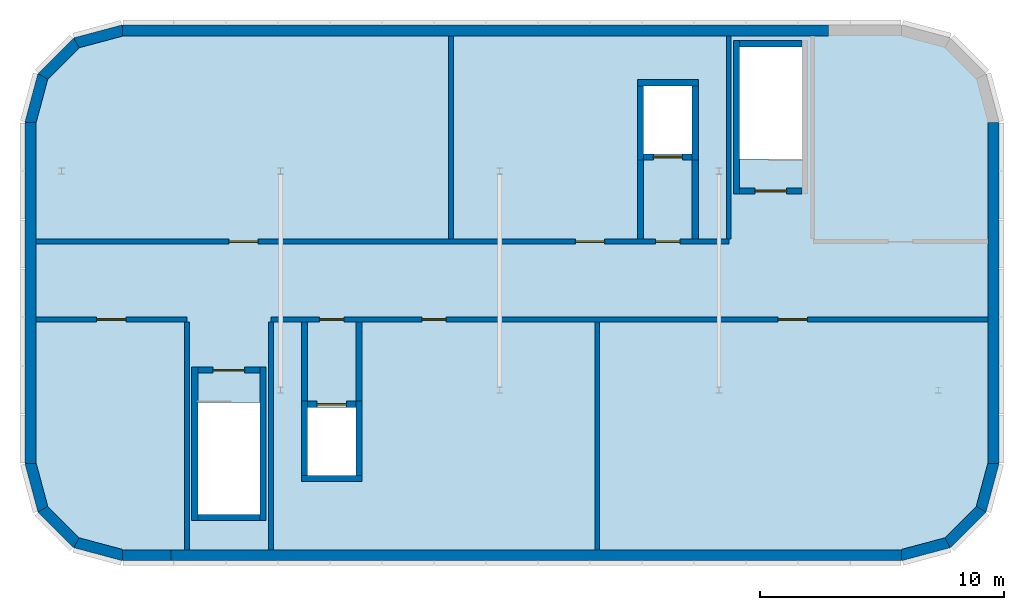
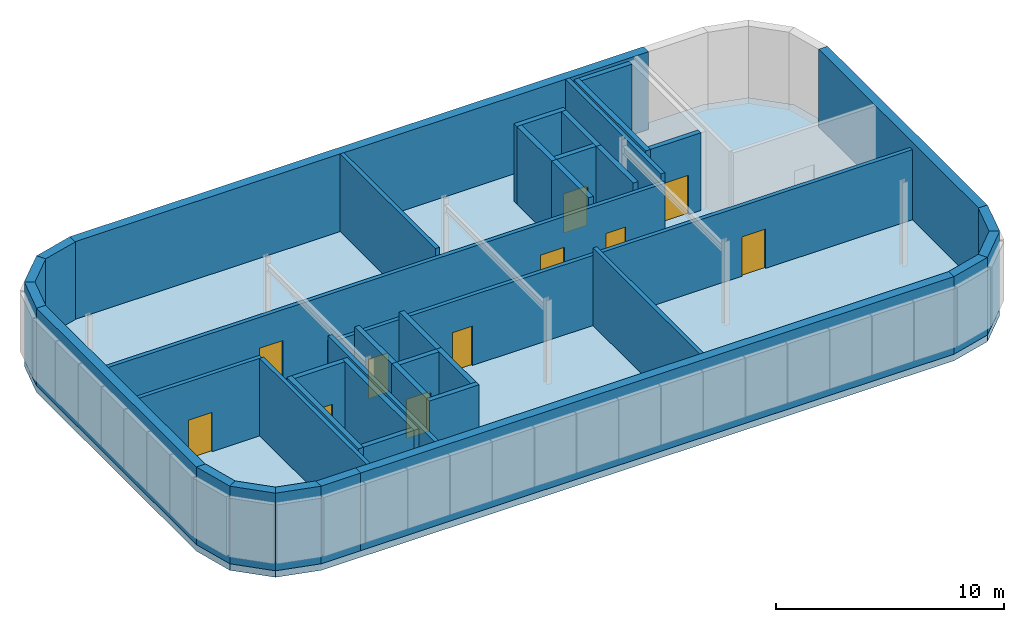
# One storey, part 2 of 4: 41 walls, 11 doors, 1 slab, 11 openings.
"""IFC4 building model written with IfcOpenShell, lengths in metres."""

from ifc_helpers import new_model, si_unit, direction, frame, frame_2d, origin, place, context, subcontext, project, spatial, polyline, rectangle, outline, extrude, material, layer, layer_set, type_object, element, fill, save


model = new_model("IFC4")

# Units and contexts
model_context = context("Model", 3, precision=1e-05, world=origin(), true_north=direction((0.0, 1.0)))
body_context = subcontext(model_context, "Body", "Model", "MODEL_VIEW")
ifc_project = project(units=[si_unit("LENGTHUNIT", "METRE"), si_unit("AREAUNIT", "SQUARE_METRE"), si_unit("VOLUMEUNIT", "CUBIC_METRE"), si_unit("PLANEANGLEUNIT", "RADIAN"), si_unit("MASSUNIT", "GRAM", prefix="KILO")], contexts=[model_context])

# Site, building, storey
site_placement = place(None, origin())
site = spatial("IfcSite", under=ifc_project, at=site_placement, CompositionType="ELEMENT")
building_placement = place(site_placement, origin())
building = spatial("IfcBuilding", under=site, at=building_placement, Name="Kajstack Hotel Tower", CompositionType="ELEMENT")
storey_placement = place(building_placement, frame((0.0, 0.0, 329.800048828125)))
storey = spatial("IfcBuildingStorey", under=building, at=storey_placement, Name="RF", CompositionType="ELEMENT", Elevation=329.800048828125)

# Slab
ifc_material_1 = material(Name="Concrete C40/50", Category="concrete")
ifc_layer_1 = layer(ifc_material_1, 0.35009765625)
ifc_layer_set_1 = layer_set([ifc_layer_1], Name="RC slab 350 C40/50 plant")
slab_type = type_object("IfcSlabType", Name="RC slab 350 C40/50 plant", PredefinedType="FLOOR", material=ifc_layer_set_1)
slab_placement = place(storey_placement, frame((0.0, 0.0, -0.35009765625)))
element("IfcSlab", 1, at=slab_placement, inside=storey, type_object=slab_type, Name="S-slab-RF", PredefinedType="FLOOR", context=body_context, shape_type="SweptSolid", body=[
    extrude(outline(polyline([(-19.5, -7.5), (-18.964111328125, -9.5), (-17.5, -10.964111328125), (-15.5, -11.5), (16.5, -11.5), (18.5, -10.964111328125), (19.964111328125, -9.5), (20.5, -7.5), (20.5, 6.5), (19.964111328125, 8.5), (18.5, 9.964111328125), (16.5, 10.5), (-15.5, 10.5), (-17.5, 9.964111328125), (-18.964111328125, 8.5), (-19.5, 6.5), (-19.5, -7.5)]), holes=[polyline([(-7.89990234375, -8.0), (-5.89990234375, -8.0), (-5.89990234375, -5.199951171875), (-7.89990234375, -5.199951171875), (-7.89990234375, -8.0)]), polyline([(7.89990234375, 8.0), (5.89990234375, 8.0), (5.89990234375, 5.199951171875), (7.89990234375, 5.199951171875), (7.89990234375, 8.0)]), polyline([(-12.39990234375, -9.60009765625), (-9.85009765625, -9.60009765625), (-9.85009765625, -5.0), (-12.39990234375, -5.0), (-12.39990234375, -9.60009765625)]), polyline([(9.85009765625, 5.0), (12.39990234375, 5.0), (12.39990234375, 9.60009765625), (9.85009765625, 9.60009765625), (9.85009765625, 5.0)])]), origin(), (0.0, 0.0, 1.0), 0.35009765625),
])

# Walls
ifc_layer_2 = layer(ifc_material_1, 0.449951171875)
ifc_layer_set_2 = layer_set([ifc_layer_2], Name="EW-CORE")
wall_type_1 = type_object("IfcWallType", Name="EW-CORE", PredefinedType="SOLIDWALL", material=ifc_layer_set_2)
wall_1_placement = place(storey_placement, frame((-15.5, -11.27490234375, 0.0), z_axis=(0.0, 0.0, 1.0), x_axis=(1.0, 0.0, 0.0)))
element("IfcWall", 2, at=wall_1_placement, inside=storey, type_object=wall_type_1, Name="E-wall-RF-03-00", PredefinedType="SOLIDWALL", context=body_context, shape_type="SweptSolid", body=[
    extrude(rectangle(XDim=2.0, YDim=0.449951171875, at=frame_2d((1.0, 0.0))), origin(), (0.0, 0.0, 1.0), 4.14990234375),
])
ifc_material_2 = material(Name="Zinc-clad block masonry", Category="masonry")
ifc_layer_3 = layer(ifc_material_2, 0.449951171875)
ifc_layer_set_3 = layer_set([ifc_layer_3], Name="EW-ZINC")
wall_type_2 = type_object("IfcWallType", Name="EW-ZINC", PredefinedType="SOLIDWALL", material=ifc_layer_set_3)
wall_2_placement = place(storey_placement, frame((-19.28271484375, -7.441650390625, 0.0), z_axis=(0.0, 0.0, 1.0), x_axis=(0.25881466832, -0.965926999034, 0.0)))
element("IfcWall", 3, at=wall_2_placement, inside=storey, type_object=wall_type_2, Name="E-wall-RF-00-00", PredefinedType="SOLIDWALL", context=body_context, shape_type="SweptSolid", body=[
    extrude(outline(polyline([(0.000244140625, -0.22509765625), (2.070556640625, -0.224853515625), (1.9501953125, 0.22509765625), (0.12060546875, 0.22509765625), (0.000244140625, -0.22509765625)])), origin(), (0.0, 0.0, 1.0), 4.14990234375),
])
wall_3_placement = place(storey_placement, frame((-18.804931640625, -9.3408203125, 0.0), z_axis=(0.0, 0.0, 1.0), x_axis=(0.707106781187, -0.707106781187, 0.0)))
element("IfcWall", 4, at=wall_3_placement, inside=storey, type_object=wall_type_2, Name="E-wall-RF-01-00", PredefinedType="SOLIDWALL", context=body_context, shape_type="SweptSolid", body=[
    extrude(outline(polyline([(0.0, -0.22509765625), (2.070556640625, -0.22509765625), (1.949951171875, 0.224853515625), (0.12060546875, 0.224853515625), (0.0, -0.22509765625)])), origin(), (0.0, 0.0, 1.0), 4.14990234375),
])
wall_4_placement = place(storey_placement, frame((-17.441650390625, -10.746826171875, 0.0), z_axis=(0.0, 0.0, 1.0), x_axis=(0.965926999034, -0.25881466832, 0.0)))
element("IfcWall", 5, at=wall_4_placement, inside=storey, type_object=wall_type_2, Name="E-wall-RF-02-00", PredefinedType="SOLIDWALL", context=body_context, shape_type="SweptSolid", body=[
    extrude(outline(polyline([(-0.000244140625, -0.224853515625), (2.0703125, -0.22509765625), (1.949951171875, 0.22509765625), (0.120361328125, 0.22509765625), (-0.000244140625, -0.224853515625)])), origin(), (0.0, 0.0, 1.0), 4.14990234375),
])
wall_5_placement = place(storey_placement, frame((-13.5, -11.27490234375, 0.0), z_axis=(0.0, 0.0, 1.0), x_axis=(1.0, 0.0, 0.0)))
element("IfcWall", 6, at=wall_5_placement, inside=storey, type_object=wall_type_2, Name="E-wall-RF-03-01", PredefinedType="SOLIDWALL", context=body_context, shape_type="SweptSolid", body=[
    extrude(rectangle(XDim=30.0, YDim=0.449951171875, at=frame_2d((15.0, 0.0))), origin(), (0.0, 0.0, 1.0), 4.14990234375),
])
wall_6_placement = place(storey_placement, frame((16.441650390625, -11.28271484375, 0.0), z_axis=(0.0, 0.0, 1.0), x_axis=(0.965926999034, 0.25881466832, 0.0)))
element("IfcWall", 7, at=wall_6_placement, inside=storey, type_object=wall_type_2, Name="E-wall-RF-04-00", PredefinedType="SOLIDWALL", context=body_context, shape_type="SweptSolid", body=[
    extrude(outline(polyline([(0.000244140625, -0.22509765625), (2.070556640625, -0.224853515625), (1.9501953125, 0.22509765625), (0.12060546875, 0.22509765625), (0.000244140625, -0.22509765625)])), origin(), (0.0, 0.0, 1.0), 4.14990234375),
])
wall_7_placement = place(storey_placement, frame((18.3408203125, -10.804931640625, 0.0), z_axis=(0.0, 0.0, 1.0), x_axis=(0.707106781187, 0.707106781187, 0.0)))
element("IfcWall", 8, at=wall_7_placement, inside=storey, type_object=wall_type_2, Name="E-wall-RF-05-00", PredefinedType="SOLIDWALL", context=body_context, shape_type="SweptSolid", body=[
    extrude(outline(polyline([(0.0, -0.22509765625), (2.070556640625, -0.22509765625), (1.949951171875, 0.224853515625), (0.12060546875, 0.224853515625), (0.0, -0.22509765625)])), origin(), (0.0, 0.0, 1.0), 4.14990234375),
])
wall_8_placement = place(storey_placement, frame((19.746826171875, -9.441650390625, 0.0), z_axis=(0.0, 0.0, 1.0), x_axis=(0.25881466832, 0.965926999034, 0.0)))
element("IfcWall", 9, at=wall_8_placement, inside=storey, type_object=wall_type_2, Name="E-wall-RF-06-00", PredefinedType="SOLIDWALL", context=body_context, shape_type="SweptSolid", body=[
    extrude(outline(polyline([(-0.000244140625, -0.224853515625), (2.0703125, -0.22509765625), (1.949951171875, 0.22509765625), (0.120361328125, 0.22509765625), (-0.000244140625, -0.224853515625)])), origin(), (0.0, 0.0, 1.0), 4.14990234375),
])
wall_9_placement = place(storey_placement, frame((20.27490234375, -7.5, 0.0), z_axis=(0.0, 0.0, 1.0), x_axis=(0.0, 1.0, 0.0)))
element("IfcWall", 10, at=wall_9_placement, inside=storey, type_object=wall_type_2, Name="E-wall-RF-07-00", PredefinedType="SOLIDWALL", context=body_context, shape_type="SweptSolid", body=[
    extrude(rectangle(XDim=14.0, YDim=0.449951171875, at=frame_2d((7.0, 0.0))), origin(), (0.0, 0.0, 1.0), 4.14990234375),
])
wall_10_placement = place(storey_placement, frame((13.5, 10.27490234375, 0.0), z_axis=(0.0, 0.0, 1.0), x_axis=(-1.0, 0.0, 0.0)))
element("IfcWall", 11, at=wall_10_placement, inside=storey, type_object=wall_type_2, Name="E-wall-RF-11-01", PredefinedType="SOLIDWALL", context=body_context, shape_type="SweptSolid", body=[
    extrude(rectangle(XDim=29.0, YDim=0.449951171875, at=frame_2d((14.5, 0.0))), origin(), (0.0, 0.0, 1.0), 4.14990234375),
])
wall_11_placement = place(storey_placement, frame((-15.441650390625, 10.28271484375, 0.0), z_axis=(0.0, 0.0, 1.0), x_axis=(-0.965926999034, -0.25881466832, 0.0)))
element("IfcWall", 12, at=wall_11_placement, inside=storey, type_object=wall_type_2, Name="E-wall-RF-12-00", PredefinedType="SOLIDWALL", context=body_context, shape_type="SweptSolid", body=[
    extrude(outline(polyline([(0.000244140625, -0.22509765625), (2.070556640625, -0.224853515625), (1.9501953125, 0.22509765625), (0.12060546875, 0.22509765625), (0.000244140625, -0.22509765625)])), origin(), (0.0, 0.0, 1.0), 4.14990234375),
])
wall_12_placement = place(storey_placement, frame((-17.3408203125, 9.804931640625, 0.0), z_axis=(0.0, 0.0, 1.0), x_axis=(-0.707106781187, -0.707106781187, 0.0)))
element("IfcWall", 13, at=wall_12_placement, inside=storey, type_object=wall_type_2, Name="E-wall-RF-13-00", PredefinedType="SOLIDWALL", context=body_context, shape_type="SweptSolid", body=[
    extrude(outline(polyline([(0.0, -0.22509765625), (2.070556640625, -0.22509765625), (1.949951171875, 0.224853515625), (0.12060546875, 0.224853515625), (0.0, -0.22509765625)])), origin(), (0.0, 0.0, 1.0), 4.14990234375),
])
wall_13_placement = place(storey_placement, frame((-18.746826171875, 8.441650390625, 0.0), z_axis=(0.0, 0.0, 1.0), x_axis=(-0.25881466832, -0.965926999034, 0.0)))
element("IfcWall", 14, at=wall_13_placement, inside=storey, type_object=wall_type_2, Name="E-wall-RF-14-00", PredefinedType="SOLIDWALL", context=body_context, shape_type="SweptSolid", body=[
    extrude(outline(polyline([(-0.000244140625, -0.224853515625), (2.0703125, -0.22509765625), (1.949951171875, 0.22509765625), (0.120361328125, 0.22509765625), (-0.000244140625, -0.224853515625)])), origin(), (0.0, 0.0, 1.0), 4.14990234375),
])
wall_14_placement = place(storey_placement, frame((-19.27490234375, 6.5, 0.0), z_axis=(0.0, 0.0, 1.0), x_axis=(0.0, -1.0, 0.0)))
element("IfcWall", 15, at=wall_14_placement, inside=storey, type_object=wall_type_2, Name="E-wall-RF-15-00", PredefinedType="SOLIDWALL", context=body_context, shape_type="SweptSolid", body=[
    extrude(rectangle(XDim=14.0, YDim=0.449951171875, at=frame_2d((7.0, 0.0))), origin(), (0.0, 0.0, 1.0), 4.14990234375),
])
ifc_material_3 = material(Name="Gypsum board on steel studs, mineral wool", Category="steel")
ifc_layer_4 = layer(ifc_material_3, 0.199951171875)
ifc_layer_set_4 = layer_set([ifc_layer_4], Name="Public partition 200")
wall_type_3 = type_object("IfcWallType", Name="Public partition 200", PredefinedType="PARTITIONING", material=ifc_layer_set_4)
for number, where, z_axis, x_axis, name in (
    (16, (-12.85009765625, -11.050048828125, 0.0), (0.0, 0.0, 1.0), (0.0, 1.0, 0.0), "Partition X0"),
    (17, (-9.39990234375, -11.050048828125, 0.0), (0.0, 0.0, 1.0), (0.0, 1.0, 0.0), "Partition X1"),
    (18, (4.0, -11.050048828125, 0.0), (0.0, 0.0, 1.0), (0.0, 1.0, 0.0), "Partition X2"),
):
    element("IfcWall", number, at=place(storey_placement, frame(where, z_axis=z_axis, x_axis=x_axis)), inside=storey, type_object=wall_type_3, Name=name, PredefinedType="PARTITIONING", context=body_context, shape_type="SweptSolid", body=[
        extrude(rectangle(XDim=9.35009765625, YDim=0.199951171875, at=frame_2d((4.675048828125, 0.0))), origin(), (0.0, 0.0, 1.0), 4.14990234375),
    ])

# Wall, opening, door
wall_15_placement = place(storey_placement, frame((-19.050048828125, -1.60009765625, 0.0), z_axis=(0.0, 0.0, 1.0), x_axis=(1.0, 0.0, 0.0)))
wall_15 = element("IfcWall", 19, at=wall_15_placement, inside=storey, type_object=wall_type_3, Name="Partition FW0", PredefinedType="PARTITIONING", context=body_context, shape_type="SweptSolid", body=[
    extrude(rectangle(XDim=6.199951171875, YDim=0.199951171875, at=frame_2d((3.10009765625, 0.0))), origin(), (0.0, 0.0, 1.0), 4.14990234375),
])
opening_1_placement = place(wall_15_placement, frame((2.5, 0.0, 0.0)))
opening_1 = element("IfcOpeningElement", 20, at=opening_1_placement, cuts=wall_15, Name="Opening FP01", PredefinedType="OPENING", context=body_context, shape_type="SweptSolid", body=[
    extrude(rectangle(XDim=1.199951171875, YDim=2.10009765625, at=frame_2d((0.60009765625, 1.050048828125))), frame((0.0, 0.10986328125, 0.0), z_axis=(0.0, -1.0, 0.0), x_axis=(1.0, 0.0, 0.0)), (0.0, 0.0, 1.0), 0.219970703125),
])
ifc_material_4 = material(Name="Timber leaf, fire-rated", Category="wood")
door_type_1 = type_object("IfcDoorType", Name="Public corridor door 1200", OperationType="SINGLE_SWING_LEFT", PredefinedType="DOOR", material=ifc_material_4)
door_1_placement = place(opening_1_placement, origin())
door_1 = element("IfcDoor", 21, at=door_1_placement, inside=storey, type_object=door_type_1, Name="Door FP01", OperationType="SINGLE_SWING_RIGHT", OverallHeight=2.10009765625, OverallWidth=1.199951171875, PredefinedType="DOOR", context=body_context, shape_type="SweptSolid", body=[
    extrude(rectangle(XDim=1.199951171875, YDim=2.10009765625, at=frame_2d((0.60009765625, 1.050048828125))), frame((0.0, 0.02490234375, 0.0), z_axis=(0.0, -1.0, 0.0), x_axis=(1.0, 0.0, 0.0)), (0.0, 0.0, 1.0), 0.050048828125),
])
fill(opening_1, door_1)

# Wall, openings, doors
wall_16_placement = place(storey_placement, frame((-9.39990234375, -1.60009765625, 0.0), z_axis=(0.0, 0.0, 1.0), x_axis=(1.0, 0.0, 0.0)))
wall_16 = element("IfcWall", 22, at=wall_16_placement, inside=storey, type_object=wall_type_3, Name="Partition FW1", PredefinedType="PARTITIONING", context=body_context, shape_type="SweptSolid", body=[
    extrude(rectangle(XDim=29.449951171875, YDim=0.199951171875, at=frame_2d((14.72509765625, 0.0))), origin(), (0.0, 0.0, 1.0), 3.75),
])
opening_2_placement = place(wall_16_placement, frame((6.199951171875, 0.0, 0.0)))
opening_2 = element("IfcOpeningElement", 23, at=opening_2_placement, cuts=wall_16, Name="Opening FP02", PredefinedType="OPENING", context=body_context, shape_type="SweptSolid", body=[
    extrude(rectangle(XDim=1.0, YDim=2.10009765625, at=frame_2d((0.5, 1.050048828125))), frame((0.0, 0.10986328125, 0.0), z_axis=(0.0, -1.0, 0.0), x_axis=(1.0, 0.0, 0.0)), (0.0, 0.0, 1.0), 0.219970703125),
])
opening_3_placement = place(wall_16_placement, frame((20.824951171875, 0.0, 0.0)))
opening_3 = element("IfcOpeningElement", 24, at=opening_3_placement, cuts=wall_16, Name="Opening FP03", PredefinedType="OPENING", context=body_context, shape_type="SweptSolid", body=[
    extrude(rectangle(XDim=1.199951171875, YDim=2.10009765625, at=frame_2d((0.60009765625, 1.050048828125))), frame((0.0, 0.10986328125, 0.0), z_axis=(0.0, -1.0, 0.0), x_axis=(1.0, 0.0, 0.0)), (0.0, 0.0, 1.0), 0.219970703125),
])
opening_4_placement = place(wall_16_placement, frame((2.0, 0.0, 0.0)))
opening_4 = element("IfcOpeningElement", 25, at=opening_4_placement, cuts=wall_16, Name="Opening FP07", PredefinedType="OPENING", context=body_context, shape_type="SweptSolid", body=[
    extrude(rectangle(XDim=1.0, YDim=2.10009765625, at=frame_2d((0.5, 1.050048828125))), frame((0.0, 0.10986328125, 0.0), z_axis=(0.0, -1.0, 0.0), x_axis=(1.0, 0.0, 0.0)), (0.0, 0.0, 1.0), 0.219970703125),
])
door_2_placement = place(opening_3_placement, origin())
door_2 = element("IfcDoor", 26, at=door_2_placement, inside=storey, type_object=door_type_1, Name="Door FP03", OperationType="SINGLE_SWING_RIGHT", OverallHeight=2.10009765625, OverallWidth=1.199951171875, PredefinedType="DOOR", context=body_context, shape_type="SweptSolid", body=[
    extrude(rectangle(XDim=1.199951171875, YDim=2.10009765625, at=frame_2d((0.60009765625, 1.050048828125))), frame((0.0, 0.02490234375, 0.0), z_axis=(0.0, -1.0, 0.0), x_axis=(1.0, 0.0, 0.0)), (0.0, 0.0, 1.0), 0.050048828125),
])
fill(opening_3, door_2)
ifc_material_5 = material(Name="Timber leaf", Category="wood")
door_type_2 = type_object("IfcDoorType", Name="Public room door 1000", OperationType="SINGLE_SWING_LEFT", PredefinedType="DOOR", material=ifc_material_5)
door_3_placement = place(opening_2_placement, origin())
door_3 = element("IfcDoor", 27, at=door_3_placement, inside=storey, type_object=door_type_2, Name="Door FP02", OperationType="SINGLE_SWING_RIGHT", OverallHeight=2.10009765625, OverallWidth=1.0, PredefinedType="DOOR", context=body_context, shape_type="SweptSolid", body=[
    extrude(rectangle(XDim=1.0, YDim=2.10009765625, at=frame_2d((0.5, 1.050048828125))), frame((0.0, 0.02490234375, 0.0), z_axis=(0.0, -1.0, 0.0), x_axis=(1.0, 0.0, 0.0)), (0.0, 0.0, 1.0), 0.050048828125),
])
fill(opening_2, door_3)
door_4_placement = place(opening_4_placement, origin())
door_4 = element("IfcDoor", 28, at=door_4_placement, inside=storey, type_object=door_type_2, Name="Door FP07", OperationType="SINGLE_SWING_RIGHT", OverallHeight=2.10009765625, OverallWidth=1.0, PredefinedType="DOOR", context=body_context, shape_type="SweptSolid", body=[
    extrude(rectangle(XDim=1.0, YDim=2.10009765625, at=frame_2d((0.5, 1.050048828125))), frame((0.0, 0.02490234375, 0.0), z_axis=(0.0, -1.0, 0.0), x_axis=(1.0, 0.0, 0.0)), (0.0, 0.0, 1.0), 0.050048828125),
])
fill(opening_4, door_4)

# Walls
for number, where, z_axis, x_axis, name in (
    (29, (9.39990234375, 1.699951171875, 0.0), (0.0, 0.0, 1.0), (0.0, 1.0, 0.0), "Partition SX1"),
    (30, (-2.0, 1.699951171875, 0.0), (0.0, 0.0, 1.0), (0.0, 1.0, 0.0), "Partition SX2"),
):
    element("IfcWall", number, at=place(storey_placement, frame(where, z_axis=z_axis, x_axis=x_axis)), inside=storey, type_object=wall_type_3, Name=name, PredefinedType="PARTITIONING", context=body_context, shape_type="SweptSolid", body=[
        extrude(rectangle(XDim=8.35009765625, YDim=0.199951171875, at=frame_2d((4.175048828125, 0.0))), origin(), (0.0, 0.0, 1.0), 4.14990234375),
    ])

# Wall, openings, doors
wall_17_placement = place(storey_placement, frame((-19.050048828125, 1.60009765625, 0.0), z_axis=(0.0, 0.0, 1.0), x_axis=(1.0, 0.0, 0.0)))
wall_17 = element("IfcWall", 31, at=wall_17_placement, inside=storey, type_object=wall_type_3, Name="Partition SFW1", PredefinedType="PARTITIONING", context=body_context, shape_type="SweptSolid", body=[
    extrude(rectangle(XDim=28.449951171875, YDim=0.199951171875, at=frame_2d((14.22509765625, 0.0))), origin(), (0.0, 0.0, 1.0), 3.75),
])
opening_5_placement = place(wall_17_placement, frame((22.14990234375, 0.0, 0.0)))
opening_5 = element("IfcOpeningElement", 32, at=opening_5_placement, cuts=wall_17, Name="Opening FP05", PredefinedType="OPENING", context=body_context, shape_type="SweptSolid", body=[
    extrude(rectangle(XDim=1.199951171875, YDim=2.10009765625, at=frame_2d((0.60009765625, 1.050048828125))), frame((0.0, 0.10986328125, 0.0), z_axis=(0.0, -1.0, 0.0), x_axis=(1.0, 0.0, 0.0)), (0.0, 0.0, 1.0), 0.219970703125),
])
opening_6_placement = place(wall_17_placement, frame((7.925048828125, 0.0, 0.0)))
opening_6 = element("IfcOpeningElement", 33, at=opening_6_placement, cuts=wall_17, Name="Opening FP06", PredefinedType="OPENING", context=body_context, shape_type="SweptSolid", body=[
    extrude(rectangle(XDim=1.199951171875, YDim=2.10009765625, at=frame_2d((0.60009765625, 1.050048828125))), frame((0.0, 0.10986328125, 0.0), z_axis=(0.0, -1.0, 0.0), x_axis=(1.0, 0.0, 0.0)), (0.0, 0.0, 1.0), 0.219970703125),
])
opening_7_placement = place(wall_17_placement, frame((25.449951171875, 0.0, 0.0)))
opening_7 = element("IfcOpeningElement", 34, at=opening_7_placement, cuts=wall_17, Name="Opening FP08", PredefinedType="OPENING", context=body_context, shape_type="SweptSolid", body=[
    extrude(rectangle(XDim=1.0, YDim=2.10009765625, at=frame_2d((0.5, 1.050048828125))), frame((0.0, 0.10986328125, 0.0), z_axis=(0.0, -1.0, 0.0), x_axis=(1.0, 0.0, 0.0)), (0.0, 0.0, 1.0), 0.219970703125),
])
door_5_placement = place(opening_5_placement, origin())
door_5 = element("IfcDoor", 35, at=door_5_placement, inside=storey, type_object=door_type_1, Name="Door FP05", OperationType="SINGLE_SWING_LEFT", OverallHeight=2.10009765625, OverallWidth=1.199951171875, PredefinedType="DOOR", context=body_context, shape_type="SweptSolid", body=[
    extrude(rectangle(XDim=1.199951171875, YDim=2.10009765625, at=frame_2d((0.60009765625, 1.050048828125))), frame((0.0, 0.02490234375, 0.0), z_axis=(0.0, -1.0, 0.0), x_axis=(1.0, 0.0, 0.0)), (0.0, 0.0, 1.0), 0.050048828125),
])
fill(opening_5, door_5)
door_6_placement = place(opening_6_placement, origin())
door_6 = element("IfcDoor", 36, at=door_6_placement, inside=storey, type_object=door_type_1, Name="Door FP06", OperationType="SINGLE_SWING_LEFT", OverallHeight=2.10009765625, OverallWidth=1.199951171875, PredefinedType="DOOR", context=body_context, shape_type="SweptSolid", body=[
    extrude(rectangle(XDim=1.199951171875, YDim=2.10009765625, at=frame_2d((0.60009765625, 1.050048828125))), frame((0.0, 0.02490234375, 0.0), z_axis=(0.0, -1.0, 0.0), x_axis=(1.0, 0.0, 0.0)), (0.0, 0.0, 1.0), 0.050048828125),
])
fill(opening_6, door_6)
door_7_placement = place(opening_7_placement, origin())
door_7 = element("IfcDoor", 37, at=door_7_placement, inside=storey, type_object=door_type_2, Name="Door FP08", OperationType="SINGLE_SWING_LEFT", OverallHeight=2.10009765625, OverallWidth=1.0, PredefinedType="DOOR", context=body_context, shape_type="SweptSolid", body=[
    extrude(rectangle(XDim=1.0, YDim=2.10009765625, at=frame_2d((0.5, 1.050048828125))), frame((0.0, 0.02490234375, 0.0), z_axis=(0.0, -1.0, 0.0), x_axis=(1.0, 0.0, 0.0)), (0.0, 0.0, 1.0), 0.050048828125),
])
fill(opening_7, door_7)

# Walls
ifc_layer_5 = layer(ifc_material_3, 0.199951171875)
ifc_layer_set_5 = layer_set([ifc_layer_5], Name="Service partition 200")
wall_type_4 = type_object("IfcWallType", Name="Service partition 200", PredefinedType="PARTITIONING", material=ifc_layer_set_5)
for number, where, z_axis, x_axis, name in (
    (38, (-8.02490234375, -4.949951171875, 0.0), (0.0, 0.0, 1.0), (0.0, 1.0, 0.0), "Partition W CLLW"),
    (39, (-5.77490234375, -4.949951171875, 0.0), (0.0, 0.0, 1.0), (0.0, 1.0, 0.0), "Partition W CLLE"),
    (40, (8.02490234375, 1.699951171875, 0.0), (0.0, 0.0, 1.0), (0.0, 1.0, 0.0), "Partition E CLLW"),
    (41, (5.77490234375, 1.699951171875, 0.0), (0.0, 0.0, 1.0), (0.0, 1.0, 0.0), "Partition E CLLE"),
):
    element("IfcWall", number, at=place(storey_placement, frame(where, z_axis=z_axis, x_axis=x_axis)), inside=storey, type_object=wall_type_4, Name=name, PredefinedType="PARTITIONING", context=body_context, shape_type="SweptSolid", body=[
        extrude(rectangle(XDim=3.25, YDim=0.25, at=frame_2d((1.625, 0.0))), origin(), (0.0, 0.0, 1.0), 4.14990234375),
    ])
ifc_material_6 = material(Name="Concrete C50/60", Category="concrete")
ifc_layer_6 = layer(ifc_material_6, 0.25)
ifc_layer_set_6 = layer_set([ifc_layer_6], Name="Shaft wall 250")
wall_type_5 = type_object("IfcWallType", Name="Shaft wall 250", PredefinedType="SHEAR", material=ifc_layer_set_6)
wall_18_placement = place(storey_placement, frame((-8.14990234375, -8.125, 0.0), z_axis=(0.0, 0.0, 1.0), x_axis=(1.0, 0.0, 0.0)))
element("IfcWall", 42, at=wall_18_placement, inside=storey, type_object=wall_type_5, Name="Core wall W CLS", PredefinedType="SHEAR", context=body_context, shape_type="SweptSolid", body=[
    extrude(rectangle(XDim=2.5, YDim=0.25, at=frame_2d((1.25, 0.0))), origin(), (0.0, 0.0, 1.0), 4.14990234375),
])
for number, where, z_axis, x_axis, name in (
    (43, (-8.02490234375, -8.0, 0.0), (0.0, 0.0, 1.0), (0.0, 1.0, 0.0), "Core wall W CLW"),
    (44, (-5.77490234375, -8.0, 0.0), (0.0, 0.0, 1.0), (0.0, 1.0, 0.0), "Core wall W CLE"),
):
    element("IfcWall", number, at=place(storey_placement, frame(where, z_axis=z_axis, x_axis=x_axis)), inside=storey, type_object=wall_type_5, Name=name, PredefinedType="SHEAR", context=body_context, shape_type="SweptSolid", body=[
        extrude(rectangle(XDim=3.050048828125, YDim=0.25, at=frame_2d((1.52490234375, 0.0))), origin(), (0.0, 0.0, 1.0), 4.14990234375),
    ])

# Wall, opening, door
wall_19_placement = place(storey_placement, frame((-7.89990234375, -5.074951171875, 0.0), z_axis=(0.0, 0.0, 1.0), x_axis=(1.0, 0.0, 0.0)))
wall_19 = element("IfcWall", 45, at=wall_19_placement, inside=storey, type_object=wall_type_5, Name="Core wall W CLN", PredefinedType="SHEAR", context=body_context, shape_type="SweptSolid", body=[
    extrude(rectangle(XDim=2.0, YDim=0.25, at=frame_2d((1.0, 0.0))), origin(), (0.0, 0.0, 1.0), 4.14990234375),
])
opening_8_placement = place(wall_19_placement, frame((0.39990234375, 0.0, 0.0)))
opening_8 = element("IfcOpeningElement", 46, at=opening_8_placement, cuts=wall_19, Name="Opening LD-CL1", PredefinedType="OPENING", context=body_context, shape_type="SweptSolid", body=[
    extrude(rectangle(XDim=1.199951171875, YDim=2.10009765625, at=frame_2d((0.60009765625, 1.050048828125))), frame((0.0, 0.135009765625, 0.0), z_axis=(0.0, -1.0, 0.0), x_axis=(1.0, 0.0, 0.0)), (0.0, 0.0, 1.0), 0.27001953125),
])
ifc_material_7 = material(Name="Stainless steel", Category="steel")
door_type_3 = type_object("IfcDoorType", Name="Lift landing door 1200", OperationType="SLIDING_TO_LEFT", PredefinedType="DOOR", material=ifc_material_7)
door_8_placement = place(opening_8_placement, origin())
door_8 = element("IfcDoor", 47, at=door_8_placement, inside=storey, type_object=door_type_3, Name="Landing door CL1", OperationType="SLIDING_TO_LEFT", OverallHeight=2.10009765625, OverallWidth=1.199951171875, PredefinedType="DOOR", context=body_context, shape_type="SweptSolid", body=[
    extrude(rectangle(XDim=1.199951171875, YDim=2.10009765625, at=frame_2d((0.60009765625, 1.050048828125))), frame((0.0, 0.02490234375, 0.0), z_axis=(0.0, -1.0, 0.0), x_axis=(1.0, 0.0, 0.0)), (0.0, 0.0, 1.0), 0.050048828125),
])
fill(opening_8, door_8)

# Walls
wall_20_placement = place(storey_placement, frame((5.64990234375, 8.125, 0.0), z_axis=(0.0, 0.0, 1.0), x_axis=(1.0, 0.0, 0.0)))
element("IfcWall", 48, at=wall_20_placement, inside=storey, type_object=wall_type_5, Name="Core wall E CLS", PredefinedType="SHEAR", context=body_context, shape_type="SweptSolid", body=[
    extrude(rectangle(XDim=2.5, YDim=0.25, at=frame_2d((1.25, 0.0))), origin(), (0.0, 0.0, 1.0), 4.14990234375),
])
for number, where, z_axis, x_axis, name in (
    (49, (8.02490234375, 4.949951171875, 0.0), (0.0, 0.0, 1.0), (0.0, 1.0, 0.0), "Core wall E CLW"),
    (50, (5.77490234375, 4.949951171875, 0.0), (0.0, 0.0, 1.0), (0.0, 1.0, 0.0), "Core wall E CLE"),
):
    element("IfcWall", number, at=place(storey_placement, frame(where, z_axis=z_axis, x_axis=x_axis)), inside=storey, type_object=wall_type_5, Name=name, PredefinedType="SHEAR", context=body_context, shape_type="SweptSolid", body=[
        extrude(rectangle(XDim=3.050048828125, YDim=0.25, at=frame_2d((1.52490234375, 0.0))), origin(), (0.0, 0.0, 1.0), 4.14990234375),
    ])

# Wall, opening, door
wall_21_placement = place(storey_placement, frame((5.89990234375, 5.074951171875, 0.0), z_axis=(0.0, 0.0, 1.0), x_axis=(1.0, 0.0, 0.0)))
wall_21 = element("IfcWall", 51, at=wall_21_placement, inside=storey, type_object=wall_type_5, Name="Core wall E CLN", PredefinedType="SHEAR", context=body_context, shape_type="SweptSolid", body=[
    extrude(rectangle(XDim=2.0, YDim=0.25, at=frame_2d((1.0, 0.0))), origin(), (0.0, 0.0, 1.0), 4.14990234375),
])
opening_9_placement = place(wall_21_placement, frame((0.39990234375, 0.0, 0.0)))
opening_9 = element("IfcOpeningElement", 52, at=opening_9_placement, cuts=wall_21, Name="Opening LD-CL2", PredefinedType="OPENING", context=body_context, shape_type="SweptSolid", body=[
    extrude(rectangle(XDim=1.199951171875, YDim=2.10009765625, at=frame_2d((0.60009765625, 1.050048828125))), frame((0.0, 0.135009765625, 0.0), z_axis=(0.0, -1.0, 0.0), x_axis=(1.0, 0.0, 0.0)), (0.0, 0.0, 1.0), 0.27001953125),
])
door_9_placement = place(opening_9_placement, origin())
door_9 = element("IfcDoor", 53, at=door_9_placement, inside=storey, type_object=door_type_3, Name="Landing door CL2", OperationType="SLIDING_TO_LEFT", OverallHeight=2.10009765625, OverallWidth=1.199951171875, PredefinedType="DOOR", context=body_context, shape_type="SweptSolid", body=[
    extrude(rectangle(XDim=1.199951171875, YDim=2.10009765625, at=frame_2d((0.60009765625, 1.050048828125))), frame((0.0, 0.02490234375, 0.0), z_axis=(0.0, -1.0, 0.0), x_axis=(1.0, 0.0, 0.0)), (0.0, 0.0, 1.0), 0.050048828125),
])
fill(opening_9, door_9)

# Walls
ifc_layer_7 = layer(ifc_material_1, 0.25)
ifc_layer_set_7 = layer_set([ifc_layer_7], Name="Stair enclosure wall 250")
wall_type_6 = type_object("IfcWallType", Name="Stair enclosure wall 250", PredefinedType="SHEAR", material=ifc_layer_set_7)
for number, where, z_axis, x_axis, name in (
    (54, (-12.52490234375, -9.85009765625, 0.0), (0.0, 0.0, 1.0), (0.0, 1.0, 0.0), "Stair wall R1 W"),
    (55, (-9.72509765625, -9.85009765625, 0.0), (0.0, 0.0, 1.0), (0.0, 1.0, 0.0), "Stair wall R1 E"),
):
    element("IfcWall", number, at=place(storey_placement, frame(where, z_axis=z_axis, x_axis=x_axis)), inside=storey, type_object=wall_type_6, Name=name, PredefinedType="SHEAR", context=body_context, shape_type="SweptSolid", body=[
        extrude(rectangle(XDim=6.300048828125, YDim=0.25, at=frame_2d((3.14990234375, 0.0))), origin(), (0.0, 0.0, 1.0), 4.14990234375),
    ])
wall_22_placement = place(storey_placement, frame((-12.39990234375, -9.72509765625, 0.0), z_axis=(0.0, 0.0, 1.0), x_axis=(1.0, 0.0, 0.0)))
element("IfcWall", 56, at=wall_22_placement, inside=storey, type_object=wall_type_6, Name="Stair wall R1 F", PredefinedType="SHEAR", context=body_context, shape_type="SweptSolid", body=[
    extrude(rectangle(XDim=2.5498046875, YDim=0.25, at=frame_2d((1.27490234375, 0.0))), origin(), (0.0, 0.0, 1.0), 4.14990234375),
])

# Wall, opening, door
wall_23_placement = place(storey_placement, frame((-12.39990234375, -3.675048828125, 0.0), z_axis=(0.0, 0.0, 1.0), x_axis=(1.0, 0.0, 0.0)))
wall_23 = element("IfcWall", 57, at=wall_23_placement, inside=storey, type_object=wall_type_6, Name="Stair wall R1 N", PredefinedType="SHEAR", context=body_context, shape_type="SweptSolid", body=[
    extrude(rectangle(XDim=2.5498046875, YDim=0.25, at=frame_2d((1.27490234375, 0.0))), origin(), (0.0, 0.0, 1.0), 4.14990234375),
])
opening_10_placement = place(wall_23_placement, frame((0.625, 0.0, 0.0)))
opening_10 = element("IfcOpeningElement", 58, at=opening_10_placement, cuts=wall_23, Name="Opening FR1", PredefinedType="OPENING", context=body_context, shape_type="SweptSolid", body=[
    extrude(rectangle(XDim=1.300048828125, YDim=2.10009765625, at=frame_2d((0.64990234375, 1.050048828125))), frame((0.0, 0.135009765625, 0.0), z_axis=(0.0, -1.0, 0.0), x_axis=(1.0, 0.0, 0.0)), (0.0, 0.0, 1.0), 0.27001953125),
])
ifc_material_8 = material(Name="Steel leaf, fire-rated", Category="steel")
door_type_4 = type_object("IfcDoorType", Name="Stair door 1300", OperationType="SINGLE_SWING_LEFT", PredefinedType="DOOR", material=ifc_material_8)
door_10_placement = place(opening_10_placement, origin())
door_10 = element("IfcDoor", 59, at=door_10_placement, inside=storey, type_object=door_type_4, Name="Door FR1", OperationType="SINGLE_SWING_RIGHT", OverallHeight=2.10009765625, OverallWidth=1.300048828125, PredefinedType="DOOR", context=body_context, shape_type="SweptSolid", body=[
    extrude(rectangle(XDim=1.300048828125, YDim=2.10009765625, at=frame_2d((0.64990234375, 1.050048828125))), frame((0.0, 0.02490234375, 0.0), z_axis=(0.0, -1.0, 0.0), x_axis=(1.0, 0.0, 0.0)), (0.0, 0.0, 1.0), 0.050048828125),
])
fill(opening_10, door_10)

# Walls
wall_24_placement = place(storey_placement, frame((9.72509765625, 3.550048828125, 0.0), z_axis=(0.0, 0.0, 1.0), x_axis=(0.0, 1.0, 0.0)))
element("IfcWall", 60, at=wall_24_placement, inside=storey, type_object=wall_type_6, Name="Stair wall R2 W", PredefinedType="SHEAR", context=body_context, shape_type="SweptSolid", body=[
    extrude(rectangle(XDim=6.300048828125, YDim=0.25, at=frame_2d((3.14990234375, 0.0))), origin(), (0.0, 0.0, 1.0), 4.14990234375),
])
wall_25_placement = place(storey_placement, frame((9.85009765625, 9.72509765625, 0.0), z_axis=(0.0, 0.0, 1.0), x_axis=(1.0, 0.0, 0.0)))
element("IfcWall", 61, at=wall_25_placement, inside=storey, type_object=wall_type_6, Name="Stair wall R2 F", PredefinedType="SHEAR", context=body_context, shape_type="SweptSolid", body=[
    extrude(rectangle(XDim=2.5498046875, YDim=0.25, at=frame_2d((1.27490234375, 0.0))), origin(), (0.0, 0.0, 1.0), 4.14990234375),
])

# Wall, opening, door
wall_26_placement = place(storey_placement, frame((9.85009765625, 3.675048828125, 0.0), z_axis=(0.0, 0.0, 1.0), x_axis=(1.0, 0.0, 0.0)))
wall_26 = element("IfcWall", 62, at=wall_26_placement, inside=storey, type_object=wall_type_6, Name="Stair wall R2 N", PredefinedType="SHEAR", context=body_context, shape_type="SweptSolid", body=[
    extrude(rectangle(XDim=2.5498046875, YDim=0.25, at=frame_2d((1.27490234375, 0.0))), origin(), (0.0, 0.0, 1.0), 4.14990234375),
])
opening_11_placement = place(wall_26_placement, frame((0.625, 0.0, 0.0)))
opening_11 = element("IfcOpeningElement", 63, at=opening_11_placement, cuts=wall_26, Name="Opening FR2", PredefinedType="OPENING", context=body_context, shape_type="SweptSolid", body=[
    extrude(rectangle(XDim=1.300048828125, YDim=2.10009765625, at=frame_2d((0.64990234375, 1.050048828125))), frame((0.0, 0.135009765625, 0.0), z_axis=(0.0, -1.0, 0.0), x_axis=(1.0, 0.0, 0.0)), (0.0, 0.0, 1.0), 0.27001953125),
])
door_11_placement = place(opening_11_placement, origin())
door_11 = element("IfcDoor", 64, at=door_11_placement, inside=storey, type_object=door_type_4, Name="Door FR2", OperationType="SINGLE_SWING_LEFT", OverallHeight=2.10009765625, OverallWidth=1.300048828125, PredefinedType="DOOR", context=body_context, shape_type="SweptSolid", body=[
    extrude(rectangle(XDim=1.300048828125, YDim=2.10009765625, at=frame_2d((0.64990234375, 1.050048828125))), frame((0.0, 0.02490234375, 0.0), z_axis=(0.0, -1.0, 0.0), x_axis=(1.0, 0.0, 0.0)), (0.0, 0.0, 1.0), 0.050048828125),
])
fill(opening_11, door_11)

save(model, "model.ifc")
